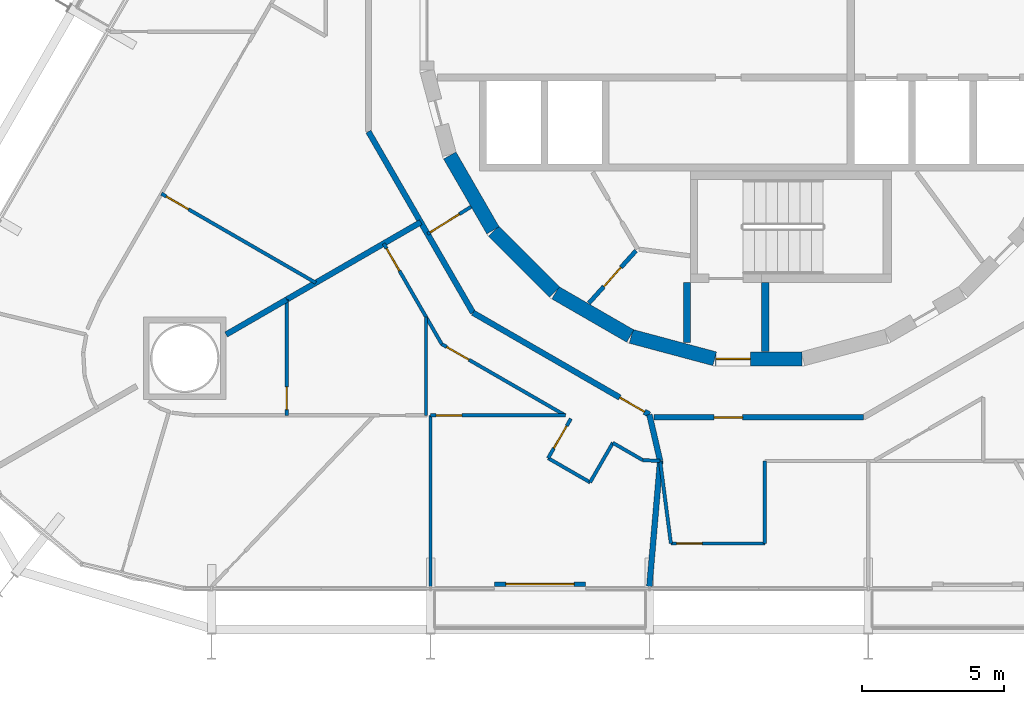
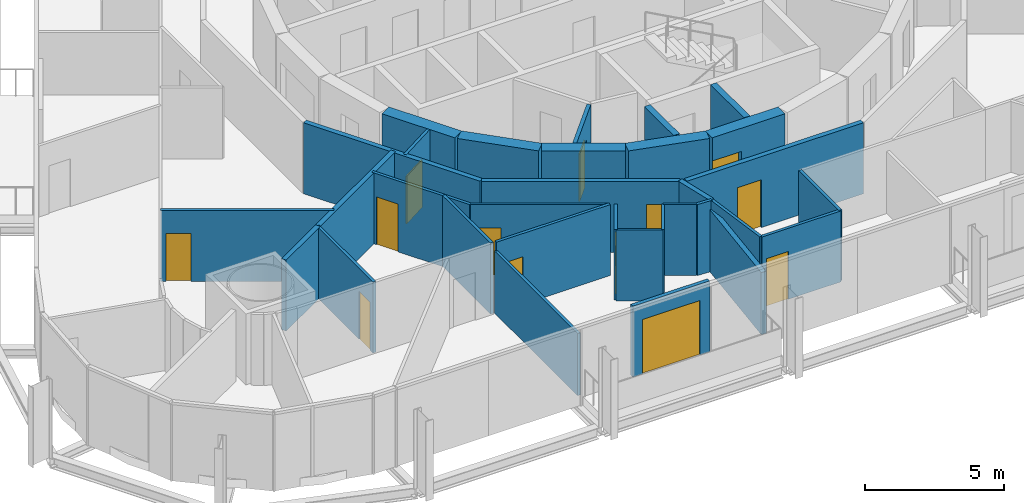
# One storey, part 13 of 20: 32 walls, 13 doors, 13 openings.
"""IFC4 building model written with IfcOpenShell, lengths in metres."""

from ifc_helpers import new_model, si_unit, direction, frame, frame_2d, origin, place, context, subcontext, project, spatial, rectangle, extrude, material, layer, layer_set, type_object, element, fill, save


model = new_model("IFC4")

# Units and contexts
model_context = context("Model", 3, precision=1e-05, world=origin(), true_north=direction((0.0, 1.0)))
body_context = subcontext(model_context, "Body", "Model", "MODEL_VIEW")
ifc_project = project(units=[si_unit("LENGTHUNIT", "METRE"), si_unit("AREAUNIT", "SQUARE_METRE"), si_unit("VOLUMEUNIT", "CUBIC_METRE"), si_unit("PLANEANGLEUNIT", "RADIAN"), si_unit("MASSUNIT", "GRAM", prefix="KILO")], contexts=[model_context])

# Site, building, storey
site_placement = place(None, origin())
site = spatial("IfcSite", under=ifc_project, at=site_placement, CompositionType="ELEMENT")
building_placement = place(site_placement, origin())
building = spatial("IfcBuilding", under=site, at=building_placement, Name="Spindle Arch Residences", CompositionType="ELEMENT")
storey_placement = place(building_placement, frame((0.0, 0.0, 59.39990234375)))
storey = spatial("IfcBuildingStorey", under=building, at=storey_placement, Name="L13", CompositionType="ELEMENT", Elevation=59.39990234375)

# Walls
ifc_material_1 = material(Name="Concrete C50/60", Category="concrete")
ifc_layer_1 = layer(ifc_material_1, 0.5)
ifc_layer_set_1 = layer_set([ifc_layer_1], Name="Core outline wall 500")
wall_type_1 = type_object("IfcWallType", Name="Core outline wall 500", PredefinedType="SHEAR", material=ifc_layer_set_1)
wall_1_placement = place(storey_placement, frame((-10.84521484375, -4.510498046875, 0.0), z_axis=(0.0, 0.0, 1.0), x_axis=(0.500087131594, -0.865975092491, 0.0)))
element("IfcWall", 1, at=wall_1_placement, inside=storey, type_object=wall_type_1, Name="Core outline wall 20", PredefinedType="SHEAR", context=body_context, shape_type="SweptSolid", body=[
    extrude(rectangle(XDim=3.03271484375, YDim=0.5, at=frame_2d((1.516357421875, 0.0))), origin(), (0.0, 0.0, 1.0), 3.1201171875),
])
wall_2_placement = place(storey_placement, frame((-9.30810546875, -7.163818359375, 0.0), z_axis=(0.0, 0.0, 1.0), x_axis=(0.707106781187, -0.707106781187, 0.0)))
element("IfcWall", 2, at=wall_2_placement, inside=storey, type_object=wall_type_1, Name="Core outline wall 21", PredefinedType="SHEAR", context=body_context, shape_type="SweptSolid", body=[
    extrude(rectangle(XDim=3.032470703125, YDim=0.5, at=frame_2d((1.51611328125, 0.0))), origin(), (0.0, 0.0, 1.0), 3.1201171875),
])
for number, where, z_axis, x_axis, name in (
    (3, (-7.13671875, -9.32861328125, 0.0), (0.0, 0.0, 1.0), (0.865975092491, -0.500087131594, 0.0), "Core outline wall 22"),
    (4, (-4.479248046875, -10.858154296875, 0.0), (0.0, 0.0, 1.0), (0.965948410781, -0.258734743916, 0.0), "Core outline wall 23"),
):
    element("IfcWall", number, at=place(storey_placement, frame(where, z_axis=z_axis, x_axis=x_axis)), inside=storey, type_object=wall_type_1, Name=name, PredefinedType="SHEAR", context=body_context, shape_type="SweptSolid", body=[
        extrude(rectangle(XDim=3.03271484375, YDim=0.5, at=frame_2d((1.516357421875, 0.0))), origin(), (0.0, 0.0, 1.0), 3.1201171875),
    ])

# Wall, opening, door
wall_3_placement = place(storey_placement, frame((-1.516357421875, -11.647216796875, 0.0), z_axis=(0.0, 0.0, 1.0), x_axis=(1.0, 0.0, 0.0)))
wall_3 = element("IfcWall", 5, at=wall_3_placement, inside=storey, type_object=wall_type_1, Name="Core outline wall 24", PredefinedType="SHEAR", context=body_context, shape_type="SweptSolid", body=[
    extrude(rectangle(XDim=3.03271484375, YDim=0.5, at=frame_2d((1.516357421875, 0.0))), origin(), (0.0, 0.0, 1.0), 3.1201171875),
])
opening_1_placement = place(wall_3_placement, frame((0.016357421875, 0.0, 0.0)))
opening_1 = element("IfcOpeningElement", 6, at=opening_1_placement, cuts=wall_3, Name="Opening R1C0-AD03", PredefinedType="OPENING", context=body_context, shape_type="SweptSolid", body=[
    extrude(rectangle(XDim=1.199951171875, YDim=2.10009765625, at=frame_2d((0.60009765625, 1.050048828125))), frame((0.0, 0.260009765625, 0.0), z_axis=(0.0, -1.0, 0.0), x_axis=(1.0, 0.0, 0.0)), (0.0, 0.0, 1.0), 0.52001953125),
])
ifc_material_2 = material(Name="Steel, fire-resisting door", Category="steel")
door_type_1 = type_object("IfcDoorType", Name="Stair airlock door 1200x2100", OperationType="SINGLE_SWING_LEFT", PredefinedType="DOOR", material=ifc_material_2)
door_1_placement = place(opening_1_placement, origin())
door_1 = element("IfcDoor", 7, at=door_1_placement, inside=storey, type_object=door_type_1, Name="Stair airlock door R1C0-AD03", OperationType="SINGLE_SWING_RIGHT", OverallHeight=2.10009765625, OverallWidth=1.199951171875, PredefinedType="DOOR", context=body_context, shape_type="SweptSolid", body=[
    extrude(rectangle(XDim=1.199951171875, YDim=2.10009765625, at=frame_2d((0.60009765625, 1.050048828125))), frame((0.0, 0.02490234375, 0.0), z_axis=(0.0, -1.0, 0.0), x_axis=(1.0, 0.0, 0.0)), (0.0, 0.0, 1.0), 0.050048828125),
])
fill(opening_1, door_1)

ifc_material_3 = material(Name="Plasterboard on steel studs", Category="steel")
ifc_layer_2 = layer(ifc_material_3, 0.1201171875)
ifc_layer_set_2 = layer_set([ifc_layer_2], Name="Corridor division wall 120")
wall_type_2 = type_object("IfcWallType", Name="Corridor division wall 120", PredefinedType="PARTITIONING", material=ifc_layer_set_2)
wall_4_placement = place(storey_placement, frame((-11.625244140625, -7.264404296875, 0.0), z_axis=(0.0, 0.0, 1.0), x_axis=(0.84803632456, 0.529938102259, 0.0)))
wall_4 = element("IfcWall", 8, at=wall_4_placement, inside=storey, type_object=wall_type_2, Name="Corridor division wall R1C0-W003", PredefinedType="PARTITIONING", context=body_context, shape_type="SweptSolid", body=[
    extrude(rectangle(XDim=1.8037109375, YDim=0.1201171875, at=frame_2d((0.90185546875, 0.0))), origin(), (0.0, 0.0, 1.0), 3.1201171875),
])
opening_2_placement = place(wall_4_placement, frame((0.110107421875, 0.0, 0.0)))
opening_2 = element("IfcOpeningElement", 9, at=opening_2_placement, cuts=wall_4, Name="Opening R1C0-CD03", PredefinedType="OPENING", context=body_context, shape_type="SweptSolid", body=[
    extrude(rectangle(XDim=1.199951171875, YDim=2.10009765625, at=frame_2d((0.60009765625, 1.050048828125))), frame((0.0, 0.070068359375, 0.0), z_axis=(0.0, -1.0, 0.0), x_axis=(1.0, 0.0, 0.0)), (0.0, 0.0, 1.0), 0.14013671875),
])
ifc_material_4 = material(Name="Steel, fire-resisting door", Category="steel")
door_type_2 = type_object("IfcDoorType", Name="Corridor division door 1200x2100", OperationType="NOTDEFINED", PredefinedType="DOOR", material=ifc_material_4)
door_2_placement = place(opening_2_placement, origin())
door_2 = element("IfcDoor", 10, at=door_2_placement, inside=storey, type_object=door_type_2, Name="Corridor division door R1C0-CD03", OperationType="DOUBLE_DOOR_SINGLE_SWING", OverallHeight=2.10009765625, OverallWidth=1.199951171875, PredefinedType="DOOR", context=body_context, shape_type="SweptSolid", body=[
    extrude(rectangle(XDim=1.199951171875, YDim=2.10009765625, at=frame_2d((0.60009765625, 1.050048828125))), frame((0.0, 0.02490234375, 0.0), z_axis=(0.0, -1.0, 0.0), x_axis=(1.0, 0.0, 0.0)), (0.0, 0.0, 1.0), 0.050048828125),
])
fill(opening_2, door_2)

# Wall
ifc_material_5 = material(Name="Calcium silicate block, plastered")
ifc_layer_3 = layer(ifc_material_5, 0.199951171875)
ifc_layer_set_3 = layer_set([ifc_layer_3], Name="Corridor wall 200")
wall_type_3 = type_object("IfcWallType", Name="Corridor wall 200", PredefinedType="STANDARD", material=ifc_layer_set_3)
wall_5_placement = place(storey_placement, frame((-13.699951171875, -3.6708984375, 0.0), z_axis=(0.0, 0.0, 1.0), x_axis=(0.500001669485, -0.866024439905, 0.0)))
element("IfcWall", 11, at=wall_5_placement, inside=storey, type_object=wall_type_3, Name="Corridor wall R1C0-W012", PredefinedType="STANDARD", context=body_context, shape_type="SweptSolid", body=[
    extrude(rectangle(XDim=7.341796875, YDim=0.199951171875, at=frame_2d((3.6708984375, 0.0))), origin(), (0.0, 0.0, 1.0), 3.1201171875),
])

# Wall, opening, door
wall_6_placement = place(storey_placement, frame((-10.029052734375, -10.029052734375, 0.0), z_axis=(0.0, 0.0, 1.0), x_axis=(0.866022878987, -0.500004373052, 0.0)))
wall_6 = element("IfcWall", 12, at=wall_6_placement, inside=storey, type_object=wall_type_3, Name="Corridor wall R1C0-W013", PredefinedType="STANDARD", context=body_context, shape_type="SweptSolid", body=[
    extrude(rectangle(XDim=7.146484375, YDim=0.199951171875, at=frame_2d((3.5732421875, 0.0))), origin(), (0.0, 0.0, 1.0), 3.1201171875),
])
opening_3_placement = place(wall_6_placement, frame((5.946533203125, 0.0, 0.0)))
opening_3 = element("IfcOpeningElement", 13, at=opening_3_placement, cuts=wall_6, Name="Opening R1C0-FD04", PredefinedType="OPENING", context=body_context, shape_type="SweptSolid", body=[
    extrude(rectangle(XDim=1.0, YDim=2.10009765625, at=frame_2d((0.5, 1.050048828125))), frame((0.0, 0.10986328125, 0.0), z_axis=(0.0, -1.0, 0.0), x_axis=(1.0, 0.0, 0.0)), (0.0, 0.0, 1.0), 0.219970703125),
])
ifc_material_6 = material(Name="Timber, fire-resisting door set", Category="wood")
door_type_3 = type_object("IfcDoorType", Name="Flat entrance door 1000x2100", OperationType="NOTDEFINED", PredefinedType="DOOR", material=ifc_material_6)
door_3_placement = place(opening_3_placement, origin())
door_3 = element("IfcDoor", 14, at=door_3_placement, inside=storey, type_object=door_type_3, Name="Flat entrance door R1C0-FD04", OperationType="SINGLE_SWING_LEFT", OverallHeight=2.10009765625, OverallWidth=1.0, PredefinedType="DOOR", context=body_context, shape_type="SweptSolid", body=[
    extrude(rectangle(XDim=1.0, YDim=2.10009765625, at=frame_2d((0.5, 1.050048828125))), frame((0.0, 0.02490234375, 0.0), z_axis=(0.0, -1.0, 0.0), x_axis=(1.0, 0.0, 0.0)), (0.0, 0.0, 1.0), 0.050048828125),
])
fill(opening_3, door_3)

wall_7_placement = place(storey_placement, frame((-3.6708984375, -13.699951171875, 0.0), z_axis=(0.0, 0.0, 1.0), x_axis=(1.0, 0.0, 0.0)))
wall_7 = element("IfcWall", 15, at=wall_7_placement, inside=storey, type_object=wall_type_3, Name="Corridor wall R1C0-W014", PredefinedType="STANDARD", context=body_context, shape_type="SweptSolid", body=[
    extrude(rectangle(XDim=7.341796875, YDim=0.199951171875, at=frame_2d((3.6708984375, 0.0))), origin(), (0.0, 0.0, 1.0), 3.1201171875),
])
opening_4_placement = place(wall_7_placement, frame((2.10009765625, 0.0, 0.0)))
opening_4 = element("IfcOpeningElement", 16, at=opening_4_placement, cuts=wall_7, Name="Opening R1C0-FD05", PredefinedType="OPENING", context=body_context, shape_type="SweptSolid", body=[
    extrude(rectangle(XDim=1.0, YDim=2.10009765625, at=frame_2d((0.5, 1.050048828125))), frame((0.0, 0.10986328125, 0.0), z_axis=(0.0, -1.0, 0.0), x_axis=(1.0, 0.0, 0.0)), (0.0, 0.0, 1.0), 0.219970703125),
])
door_4_placement = place(opening_4_placement, origin())
door_4 = element("IfcDoor", 17, at=door_4_placement, inside=storey, type_object=door_type_3, Name="Flat entrance door R1C0-FD05", OperationType="SINGLE_SWING_LEFT", OverallHeight=2.10009765625, OverallWidth=1.0, PredefinedType="DOOR", context=body_context, shape_type="SweptSolid", body=[
    extrude(rectangle(XDim=1.0, YDim=2.10009765625, at=frame_2d((0.5, 1.050048828125))), frame((0.0, 0.02490234375, 0.0), z_axis=(0.0, -1.0, 0.0), x_axis=(1.0, 0.0, 0.0)), (0.0, 0.0, 1.0), 0.050048828125),
])
fill(opening_4, door_4)

ifc_material_7 = material(Name="Plasterboard on steel studs", Category="steel")
ifc_layer_4 = layer(ifc_material_7, 0.1201171875)
ifc_layer_set_4 = layer_set([ifc_layer_4], Name="Flat partition 120")
wall_type_4 = type_object("IfcWallType", Name="Flat partition 120", PredefinedType="PARTITIONING", material=ifc_layer_set_4)
wall_8_placement = place(storey_placement, frame((-20.96337890625, -5.849853515625, 0.0), z_axis=(0.0, 0.0, 1.0), x_axis=(0.866021746608, -0.500006334362, 0.0)))
wall_8 = element("IfcWall", 18, at=wall_8_placement, inside=storey, type_object=wall_type_4, Name="Flat partition R1C0-W070", PredefinedType="PARTITIONING", context=body_context, shape_type="SweptSolid", body=[
    extrude(rectangle(XDim=6.25341796875, YDim=0.1201171875, at=frame_2d((3.126708984375, 0.0))), origin(), (0.0, 0.0, 1.0), 3.1201171875),
])
opening_5_placement = place(wall_8_placement, frame((0.199951171875, 0.0, 0.0)))
opening_5 = element("IfcOpeningElement", 19, at=opening_5_placement, cuts=wall_8, Name="Opening R1C0-ID14", PredefinedType="OPENING", context=body_context, shape_type="SweptSolid", body=[
    extrude(rectangle(XDim=0.89990234375, YDim=2.10009765625, at=frame_2d((0.449951171875, 1.050048828125))), frame((0.0, 0.070068359375, 0.0), z_axis=(0.0, -1.0, 0.0), x_axis=(1.0, 0.0, 0.0)), (0.0, 0.0, 1.0), 0.14013671875),
])
ifc_material_8 = material(Name="Timber door set", Category="wood")
door_type_4 = type_object("IfcDoorType", Name="Room door 900x2100", OperationType="NOTDEFINED", PredefinedType="DOOR", material=ifc_material_8)
door_5_placement = place(opening_5_placement, origin())
door_5 = element("IfcDoor", 20, at=door_5_placement, inside=storey, type_object=door_type_4, Name="Room door R1C0-ID14", OperationType="SINGLE_SWING_RIGHT", OverallHeight=2.10009765625, OverallWidth=0.89990234375, PredefinedType="DOOR", context=body_context, shape_type="SweptSolid", body=[
    extrude(rectangle(XDim=0.89990234375, YDim=2.10009765625, at=frame_2d((0.449951171875, 1.050048828125))), frame((0.0, 0.02490234375, 0.0), z_axis=(0.0, -1.0, 0.0), x_axis=(1.0, 0.0, 0.0)), (0.0, 0.0, 1.0), 0.050048828125),
])
fill(opening_5, door_5)

wall_9_placement = place(storey_placement, frame((-13.16357421875, -7.60009765625, 0.0), z_axis=(0.0, 0.0, 1.0), x_axis=(0.500000928893, -0.866024867487, 0.0)))
wall_9 = element("IfcWall", 21, at=wall_9_placement, inside=storey, type_object=wall_type_4, Name="Flat partition R1C0-W079", PredefinedType="PARTITIONING", context=body_context, shape_type="SweptSolid", body=[
    extrude(rectangle(XDim=4.07275390625, YDim=0.1201171875, at=frame_2d((2.036376953125, 0.0))), origin(), (0.0, 0.0, 1.0), 3.1201171875),
])
opening_6_placement = place(wall_9_placement, frame((0.199951171875, 0.0, 0.0)))
opening_6 = element("IfcOpeningElement", 22, at=opening_6_placement, cuts=wall_9, Name="Opening R1C0-ID17", PredefinedType="OPENING", context=body_context, shape_type="SweptSolid", body=[
    extrude(rectangle(XDim=0.89990234375, YDim=2.10009765625, at=frame_2d((0.449951171875, 1.050048828125))), frame((0.0, 0.070068359375, 0.0), z_axis=(0.0, -1.0, 0.0), x_axis=(1.0, 0.0, 0.0)), (0.0, 0.0, 1.0), 0.14013671875),
])
door_6_placement = place(opening_6_placement, origin())
door_6 = element("IfcDoor", 23, at=door_6_placement, inside=storey, type_object=door_type_4, Name="Room door R1C0-ID17", OperationType="SINGLE_SWING_LEFT", OverallHeight=2.10009765625, OverallWidth=0.89990234375, PredefinedType="DOOR", context=body_context, shape_type="SweptSolid", body=[
    extrude(rectangle(XDim=0.89990234375, YDim=2.10009765625, at=frame_2d((0.449951171875, 1.050048828125))), frame((0.0, 0.02490234375, 0.0), z_axis=(0.0, -1.0, 0.0), x_axis=(1.0, 0.0, 0.0)), (0.0, 0.0, 1.0), 0.050048828125),
])
fill(opening_6, door_6)

wall_10_placement = place(storey_placement, frame((-11.127197265625, -11.127197265625, 0.0), z_axis=(0.0, 0.0, 1.0), x_axis=(0.866034514313, -0.499984219769, 0.0)))
wall_10 = element("IfcWall", 24, at=wall_10_placement, inside=storey, type_object=wall_type_4, Name="Flat partition R1C0-W080", PredefinedType="PARTITIONING", context=body_context, shape_type="SweptSolid", body=[
    extrude(rectangle(XDim=5.005615234375, YDim=0.1201171875, at=frame_2d((2.5029296875, 0.0))), origin(), (0.0, 0.0, 1.0), 3.1201171875),
])
opening_7_placement = place(wall_10_placement, frame((0.199951171875, 0.0, 0.0)))
opening_7 = element("IfcOpeningElement", 25, at=opening_7_placement, cuts=wall_10, Name="Opening R1C0-ID18", PredefinedType="OPENING", context=body_context, shape_type="SweptSolid", body=[
    extrude(rectangle(XDim=0.89990234375, YDim=2.10009765625, at=frame_2d((0.449951171875, 1.050048828125))), frame((0.0, 0.070068359375, 0.0), z_axis=(0.0, -1.0, 0.0), x_axis=(1.0, 0.0, 0.0)), (0.0, 0.0, 1.0), 0.14013671875),
])
door_7_placement = place(opening_7_placement, origin())
door_7 = element("IfcDoor", 26, at=door_7_placement, inside=storey, type_object=door_type_4, Name="Room door R1C0-ID18", OperationType="SINGLE_SWING_LEFT", OverallHeight=2.10009765625, OverallWidth=0.89990234375, PredefinedType="DOOR", context=body_context, shape_type="SweptSolid", body=[
    extrude(rectangle(XDim=0.89990234375, YDim=2.10009765625, at=frame_2d((0.449951171875, 1.050048828125))), frame((0.0, 0.02490234375, 0.0), z_axis=(0.0, -1.0, 0.0), x_axis=(1.0, 0.0, 0.0)), (0.0, 0.0, 1.0), 0.050048828125),
])
fill(opening_7, door_7)

wall_11_placement = place(storey_placement, frame((-6.593994140625, -13.744384765625, 0.0), z_axis=(0.0, 0.0, 1.0), x_axis=(-0.499947031044, -0.866055983265, 0.0)))
wall_11 = element("IfcWall", 27, at=wall_11_placement, inside=storey, type_object=wall_type_4, Name="Flat partition R1C0-W081", PredefinedType="PARTITIONING", context=body_context, shape_type="SweptSolid", body=[
    extrude(rectangle(XDim=1.599853515625, YDim=0.1201171875, at=frame_2d((0.7998046875, 0.0))), origin(), (0.0, 0.0, 1.0), 3.1201171875),
])
opening_8_placement = place(wall_11_placement, frame((0.300048828125, 0.0, 0.0)))
opening_8 = element("IfcOpeningElement", 28, at=opening_8_placement, cuts=wall_11, Name="Opening R1C0-ID19", PredefinedType="OPENING", context=body_context, shape_type="SweptSolid", body=[
    extrude(rectangle(XDim=0.89990234375, YDim=2.10009765625, at=frame_2d((0.449951171875, 1.050048828125))), frame((0.0, 0.070068359375, 0.0), z_axis=(0.0, -1.0, 0.0), x_axis=(1.0, 0.0, 0.0)), (0.0, 0.0, 1.0), 0.14013671875),
])
door_8_placement = place(opening_8_placement, origin())
door_8 = element("IfcDoor", 29, at=door_8_placement, inside=storey, type_object=door_type_4, Name="Room door R1C0-ID19", OperationType="SINGLE_SWING_RIGHT", OverallHeight=2.10009765625, OverallWidth=0.89990234375, PredefinedType="DOOR", context=body_context, shape_type="SweptSolid", body=[
    extrude(rectangle(XDim=0.89990234375, YDim=2.10009765625, at=frame_2d((0.449951171875, 1.050048828125))), frame((0.0, 0.02490234375, 0.0), z_axis=(0.0, -1.0, 0.0), x_axis=(1.0, 0.0, 0.0)), (0.0, 0.0, 1.0), 0.050048828125),
])
fill(opening_8, door_8)

# Walls
wall_12_placement = place(storey_placement, frame((-7.393798828125, -15.1298828125, 0.0), z_axis=(0.0, 0.0, 1.0), x_axis=(0.86605165483, -0.499954529098, 0.0)))
element("IfcWall", 30, at=wall_12_placement, inside=storey, type_object=wall_type_4, Name="Flat partition R1C0-W082", PredefinedType="PARTITIONING", context=body_context, shape_type="SweptSolid", body=[
    extrude(rectangle(XDim=1.699951171875, YDim=0.1201171875, at=frame_2d((0.85009765625, 0.0))), origin(), (0.0, 0.0, 1.0), 3.1201171875),
])
wall_13_placement = place(storey_placement, frame((-5.921630859375, -15.979736328125, 0.0), z_axis=(0.0, 0.0, 1.0), x_axis=(0.500013115284, 0.866017831539, 0.0)))
element("IfcWall", 31, at=wall_13_placement, inside=storey, type_object=wall_type_4, Name="Flat partition R1C0-W083", PredefinedType="PARTITIONING", context=body_context, shape_type="SweptSolid", body=[
    extrude(rectangle(XDim=1.599609375, YDim=0.1201171875, at=frame_2d((0.7998046875, 0.0))), origin(), (0.0, 0.0, 1.0), 3.1201171875),
])
wall_14_placement = place(storey_placement, frame((-5.121826171875, -14.594482421875, 0.0), z_axis=(0.0, 0.0, 1.0), x_axis=(0.86610168388, -0.499867855718, 0.0)))
element("IfcWall", 32, at=wall_14_placement, inside=storey, type_object=wall_type_4, Name="Flat partition R1C0-W084", PredefinedType="PARTITIONING", context=body_context, shape_type="SweptSolid", body=[
    extrude(rectangle(XDim=1.211181640625, YDim=0.1201171875, at=frame_2d((0.60546875, 0.0))), origin(), (0.0, 0.0, 1.0), 3.1201171875),
])
wall_15_placement = place(storey_placement, frame((-4.07275390625, -15.199951171875, 0.0), z_axis=(0.0, 0.0, 1.0), x_axis=(0.99879090756, -0.049160176723, 0.0)))
element("IfcWall", 33, at=wall_15_placement, inside=storey, type_object=wall_type_4, Name="Flat partition R1C0-W085", PredefinedType="PARTITIONING", context=body_context, shape_type="SweptSolid", body=[
    extrude(rectangle(XDim=0.61083984375, YDim=0.1201171875, at=frame_2d((0.305419921875, 0.0))), origin(), (0.0, 0.0, 1.0), 3.1201171875),
])

# Wall, opening, door
wall_16_placement = place(storey_placement, frame((-16.564697265625, -13.6298828125, 0.0), z_axis=(0.0, 0.0, 1.0), x_axis=(0.0, 1.0, 0.0)))
wall_16 = element("IfcWall", 34, at=wall_16_placement, inside=storey, type_object=wall_type_4, Name="Flat partition R1C0-W089", PredefinedType="PARTITIONING", context=body_context, shape_type="SweptSolid", body=[
    extrude(rectangle(XDim=4.066162109375, YDim=0.1201171875, at=frame_2d((2.033203125, 0.0))), origin(), (0.0, 0.0, 1.0), 3.1201171875),
])
opening_9_placement = place(wall_16_placement, frame((0.199951171875, 0.0, 0.0)))
opening_9 = element("IfcOpeningElement", 35, at=opening_9_placement, cuts=wall_16, Name="Opening R1C0-BD05", PredefinedType="OPENING", context=body_context, shape_type="SweptSolid", body=[
    extrude(rectangle(XDim=0.800048828125, YDim=2.10009765625, at=frame_2d((0.39990234375, 1.050048828125))), frame((0.0, 0.070068359375, 0.0), z_axis=(0.0, -1.0, 0.0), x_axis=(1.0, 0.0, 0.0)), (0.0, 0.0, 1.0), 0.14013671875),
])
ifc_material_9 = material(Name="Timber door set", Category="wood")
door_type_5 = type_object("IfcDoorType", Name="Bathroom door 800x2100", OperationType="NOTDEFINED", PredefinedType="DOOR", material=ifc_material_9)
door_9_placement = place(opening_9_placement, origin())
door_9 = element("IfcDoor", 36, at=door_9_placement, inside=storey, type_object=door_type_5, Name="Bathroom door R1C0-BD05", OperationType="SINGLE_SWING_LEFT", OverallHeight=2.10009765625, OverallWidth=0.800048828125, PredefinedType="DOOR", context=body_context, shape_type="SweptSolid", body=[
    extrude(rectangle(XDim=0.800048828125, YDim=2.10009765625, at=frame_2d((0.39990234375, 1.050048828125))), frame((0.0, 0.02490234375, 0.0), z_axis=(0.0, -1.0, 0.0), x_axis=(1.0, 0.0, 0.0)), (0.0, 0.0, 1.0), 0.050048828125),
])
fill(opening_9, door_9)

# Wall
wall_17_placement = place(storey_placement, frame((-11.678466796875, -13.6298828125, 0.0), z_axis=(0.0, 0.0, 1.0), x_axis=(0.0, 1.0, 0.0)))
element("IfcWall", 37, at=wall_17_placement, inside=storey, type_object=wall_type_4, Name="Flat partition R1C0-W092", PredefinedType="PARTITIONING", context=body_context, shape_type="SweptSolid", body=[
    extrude(rectangle(XDim=3.457763671875, YDim=0.1201171875, at=frame_2d((1.72900390625, 0.0))), origin(), (0.0, 0.0, 1.0), 3.1201171875),
])

# Wall, opening, door
wall_18_placement = place(storey_placement, frame((-11.52001953125, -13.6298828125, 0.0), z_axis=(0.0, 0.0, 1.0), x_axis=(1.0, 0.0, 0.0)))
wall_18 = element("IfcWall", 38, at=wall_18_placement, inside=storey, type_object=wall_type_4, Name="Flat partition R1C0-W095", PredefinedType="PARTITIONING", context=body_context, shape_type="SweptSolid", body=[
    extrude(rectangle(XDim=4.727783203125, YDim=0.1201171875, at=frame_2d((2.36376953125, 0.0))), origin(), (0.0, 0.0, 1.0), 3.1201171875),
])
opening_10_placement = place(wall_18_placement, frame((0.199951171875, 0.0, 0.0)))
opening_10 = element("IfcOpeningElement", 39, at=opening_10_placement, cuts=wall_18, Name="Opening R1C0-ID23", PredefinedType="OPENING", context=body_context, shape_type="SweptSolid", body=[
    extrude(rectangle(XDim=0.89990234375, YDim=2.10009765625, at=frame_2d((0.449951171875, 1.050048828125))), frame((0.0, 0.070068359375, 0.0), z_axis=(0.0, -1.0, 0.0), x_axis=(1.0, 0.0, 0.0)), (0.0, 0.0, 1.0), 0.14013671875),
])
door_10_placement = place(opening_10_placement, origin())
door_10 = element("IfcDoor", 40, at=door_10_placement, inside=storey, type_object=door_type_4, Name="Room door R1C0-ID23", OperationType="SINGLE_SWING_RIGHT", OverallHeight=2.10009765625, OverallWidth=0.89990234375, PredefinedType="DOOR", context=body_context, shape_type="SweptSolid", body=[
    extrude(rectangle(XDim=0.89990234375, YDim=2.10009765625, at=frame_2d((0.449951171875, 1.050048828125))), frame((0.0, 0.02490234375, 0.0), z_axis=(0.0, -1.0, 0.0), x_axis=(1.0, 0.0, 0.0)), (0.0, 0.0, 1.0), 0.050048828125),
])
fill(opening_10, door_10)

# Wall
wall_19_placement = place(storey_placement, frame((-3.462646484375, -15.22998046875, 0.0), z_axis=(0.0, 0.0, 1.0), x_axis=(0.129260547059, -0.991610665016, 0.0)))
element("IfcWall", 41, at=wall_19_placement, inside=storey, type_object=wall_type_4, Name="Flat partition R1C0-W096", PredefinedType="PARTITIONING", context=body_context, shape_type="SweptSolid", body=[
    extrude(rectangle(XDim=2.919921875, YDim=0.1201171875, at=frame_2d((1.4599609375, 0.0))), origin(), (0.0, 0.0, 1.0), 3.1201171875),
])

# Wall, opening, door
wall_20_placement = place(storey_placement, frame((-3.085205078125, -18.12548828125, 0.0), z_axis=(0.0, 0.0, 1.0), x_axis=(1.0, 0.0, 0.0)))
wall_20 = element("IfcWall", 42, at=wall_20_placement, inside=storey, type_object=wall_type_4, Name="Flat partition R1C0-W097", PredefinedType="PARTITIONING", context=body_context, shape_type="SweptSolid", body=[
    extrude(rectangle(XDim=3.300048828125, YDim=0.1201171875, at=frame_2d((1.64990234375, 0.0))), origin(), (0.0, 0.0, 1.0), 3.1201171875),
])
opening_11_placement = place(wall_20_placement, frame((0.199951171875, 0.0, 0.0)))
opening_11 = element("IfcOpeningElement", 43, at=opening_11_placement, cuts=wall_20, Name="Opening R1C0-ID24", PredefinedType="OPENING", context=body_context, shape_type="SweptSolid", body=[
    extrude(rectangle(XDim=0.89990234375, YDim=2.10009765625, at=frame_2d((0.449951171875, 1.050048828125))), frame((0.0, 0.070068359375, 0.0), z_axis=(0.0, -1.0, 0.0), x_axis=(1.0, 0.0, 0.0)), (0.0, 0.0, 1.0), 0.14013671875),
])
door_11_placement = place(opening_11_placement, origin())
door_11 = element("IfcDoor", 44, at=door_11_placement, inside=storey, type_object=door_type_4, Name="Room door R1C0-ID24", OperationType="SINGLE_SWING_LEFT", OverallHeight=2.10009765625, OverallWidth=0.89990234375, PredefinedType="DOOR", context=body_context, shape_type="SweptSolid", body=[
    extrude(rectangle(XDim=0.89990234375, YDim=2.10009765625, at=frame_2d((0.449951171875, 1.050048828125))), frame((0.0, 0.02490234375, 0.0), z_axis=(0.0, -1.0, 0.0), x_axis=(1.0, 0.0, 0.0)), (0.0, 0.0, 1.0), 0.050048828125),
])
fill(opening_11, door_11)

# Walls
wall_21_placement = place(storey_placement, frame((0.21484375, -18.12548828125, 0.0), z_axis=(0.0, 0.0, 1.0), x_axis=(0.0, 1.0, 0.0)))
element("IfcWall", 45, at=wall_21_placement, inside=storey, type_object=wall_type_4, Name="Flat partition R1C0-W098", PredefinedType="PARTITIONING", context=body_context, shape_type="SweptSolid", body=[
    extrude(rectangle(XDim=2.8955078125, YDim=0.1201171875, at=frame_2d((1.44775390625, 0.0))), origin(), (0.0, 0.0, 1.0), 3.1201171875),
])
ifc_material_10 = material(Name="Plasterboard on steel studs", Category="steel")
ifc_layer_5 = layer(ifc_material_10, 0.1201171875)
ifc_layer_set_5 = layer_set([ifc_layer_5], Name="Flat partition 120 under beam 2730")
wall_type_5 = type_object("IfcWallType", Name="Flat partition 120 under beam 2730", PredefinedType="PARTITIONING", material=ifc_layer_set_5)
wall_22_placement = place(storey_placement, frame((-11.52001953125, -19.6298828125, 0.0), z_axis=(0.0, 0.0, 1.0), x_axis=(0.0, 1.0, 0.0)))
element("IfcWall", 46, at=wall_22_placement, inside=storey, type_object=wall_type_5, Name="Flat partition R1C0-W094", PredefinedType="PARTITIONING", context=body_context, shape_type="SweptSolid", body=[
    extrude(rectangle(XDim=6.0, YDim=0.1201171875, at=frame_2d((3.0, 0.0))), origin(), (0.0, 0.0, 1.0), 2.72998046875),
])
ifc_material_11 = material(Name="Calcium silicate block, plastered")
ifc_layer_6 = layer(ifc_material_11, 0.199951171875)
ifc_layer_set_6 = layer_set([ifc_layer_6], Name="Flat party wall 200")
wall_type_6 = type_object("IfcWallType", Name="Flat party wall 200", PredefinedType="STANDARD", material=ifc_layer_set_6)
wall_23_placement = place(storey_placement, frame((-16.564697265625, -9.563720703125, 0.0), z_axis=(0.0, 0.0, 1.0), x_axis=(0.866028274568, 0.499995027624, 0.0)))
element("IfcWall", 47, at=wall_23_placement, inside=storey, type_object=wall_type_6, Name="Flat party wall R1C0-W024", PredefinedType="STANDARD", context=body_context, shape_type="SweptSolid", body=[
    extrude(rectangle(XDim=5.42724609375, YDim=0.199951171875, at=frame_2d((2.713623046875, 0.0))), origin(), (0.0, 0.0, 1.0), 3.1201171875),
])
wall_24_placement = place(storey_placement, frame((-18.693603515625, -10.792724609375, 0.0), z_axis=(0.0, 0.0, 1.0), x_axis=(0.866046662726, 0.499963176624, 0.0)))
element("IfcWall", 48, at=wall_24_placement, inside=storey, type_object=wall_type_6, Name="Flat party wall R1C0-W026", PredefinedType="STANDARD", context=body_context, shape_type="SweptSolid", body=[
    extrude(rectangle(XDim=2.458251953125, YDim=0.199951171875, at=frame_2d((1.22900390625, 0.0))), origin(), (0.0, 0.0, 1.0), 3.1201171875),
])
wall_25_placement = place(storey_placement, frame((-3.462646484375, -15.22998046875, 0.0), z_axis=(0.0, 0.0, 1.0), x_axis=(-0.225894501138, 0.974151771725, 0.0)))
element("IfcWall", 49, at=wall_25_placement, inside=storey, type_object=wall_type_6, Name="Flat party wall R1C0-W027", PredefinedType="STANDARD", context=body_context, shape_type="SweptSolid", body=[
    extrude(rectangle(XDim=1.6708984375, YDim=0.199951171875, at=frame_2d((0.83544921875, 0.0))), origin(), (0.0, 0.0, 1.0), 3.1201171875),
])
ifc_material_12 = material(Name="Calcium silicate block, plastered")
ifc_layer_7 = layer(ifc_material_12, 0.199951171875)
ifc_layer_set_7 = layer_set([ifc_layer_7], Name="Flat party wall 200 under beam 2730")
wall_type_7 = type_object("IfcWallType", Name="Flat party wall 200 under beam 2730", PredefinedType="STANDARD", material=ifc_layer_set_7)
wall_26_placement = place(storey_placement, frame((-3.840087890625, -19.6298828125, 0.0), z_axis=(0.0, 0.0, 1.0), x_axis=(0.085470135005, 0.996340732893, 0.0)))
element("IfcWall", 50, at=wall_26_placement, inside=storey, type_object=wall_type_7, Name="Flat party wall R1C0-W028", PredefinedType="STANDARD", context=body_context, shape_type="SweptSolid", body=[
    extrude(rectangle(XDim=4.416015625, YDim=0.199951171875, at=frame_2d((2.2080078125, 0.0))), origin(), (0.0, 0.0, 1.0), 2.72998046875),
])

# Wall, opening, door
ifc_material_13 = material(Name="Non-combustible mineral wool insulated aluminium faced external wall (K0)", Category="aluminium")
ifc_layer_8 = layer(ifc_material_13, 0.159912109375)
ifc_layer_set_8 = layer_set([ifc_layer_8], Name="Insulated external wall panel 160")
wall_type_8 = type_object("IfcWallType", Name="Insulated external wall panel 160", PredefinedType="STANDARD", material=ifc_layer_set_8)
wall_27_placement = place(storey_placement, frame((-9.280029296875, -19.5498046875, 0.0), z_axis=(0.0, 0.0, 1.0), x_axis=(1.0, 0.0, 0.0)))
wall_27 = element("IfcWall", 51, at=wall_27_placement, inside=storey, type_object=wall_type_8, Name="External wall L13 bay 23", PredefinedType="STANDARD", context=body_context, shape_type="SweptSolid", body=[
    extrude(rectangle(XDim=3.199951171875, YDim=0.159912109375, at=frame_2d((1.60009765625, 0.0))), origin(), (0.0, 0.0, 1.0), 3.1201171875),
])
opening_12_placement = place(wall_27_placement, frame((0.39990234375, 0.0, 0.0)))
opening_12 = element("IfcOpeningElement", 52, at=opening_12_placement, cuts=wall_27, Name="Opening BD23", PredefinedType="OPENING", context=body_context, shape_type="SweptSolid", body=[
    extrude(rectangle(XDim=2.39990234375, YDim=2.39990234375, at=frame_2d((1.199951171875, 1.199951171875))), frame((0.0, 0.08984375, 0.0), z_axis=(0.0, -1.0, 0.0), x_axis=(1.0, 0.0, 0.0)), (0.0, 0.0, 1.0), 0.179931640625),
])
ifc_material_14 = material(Name="Bronze aluminium frame, tinted double glazing", Category="aluminium")
door_type_6 = type_object("IfcDoorType", Name="Sliding glazed balcony door 2400x2400", OperationType="DOUBLE_DOOR_SLIDING", PredefinedType="DOOR", material=ifc_material_14)
door_12_placement = place(opening_12_placement, origin())
door_12 = element("IfcDoor", 53, at=door_12_placement, inside=storey, type_object=door_type_6, Name="Balcony door BD23", OperationType="DOUBLE_DOOR_SLIDING", OverallHeight=2.39990234375, OverallWidth=2.39990234375, PredefinedType="DOOR", context=body_context, shape_type="SweptSolid", body=[
    extrude(rectangle(XDim=2.39990234375, YDim=2.39990234375, at=frame_2d((1.199951171875, 1.199951171875))), frame((0.0, 0.02490234375, 0.0), z_axis=(0.0, -1.0, 0.0), x_axis=(1.0, 0.0, 0.0)), (0.0, 0.0, 1.0), 0.050048828125),
])
fill(opening_12, door_12)

ifc_material_15 = material(Name="Concrete C25/30", Category="concrete")
ifc_layer_9 = layer(ifc_material_15, 0.14990234375)
ifc_layer_set_9 = layer_set([ifc_layer_9], Name="Service room partition 150")
wall_type_9 = type_object("IfcWallType", Name="Service room partition 150", PredefinedType="PARTITIONING", material=ifc_layer_set_9)
wall_28_placement = place(storey_placement, frame((-4.310791015625, -7.85107421875, 0.0), z_axis=(0.0, 0.0, 1.0), x_axis=(-0.667869133096, -0.744278725383, 0.0)))
wall_28 = element("IfcWall", 54, at=wall_28_placement, inside=storey, type_object=wall_type_9, Name="Core service room partition", PredefinedType="PARTITIONING", context=body_context, shape_type="SweptSolid", body=[
    extrude(rectangle(XDim=2.476318359375, YDim=0.14990234375, at=frame_2d((1.23828125, 0.0))), origin(), (0.0, 0.0, 1.0), 3.1201171875),
])
opening_13_placement = place(wall_28_placement, frame((0.7880859375, 0.0, 0.0)))
opening_13 = element("IfcOpeningElement", 55, at=opening_13_placement, cuts=wall_28, Name="Opening R1C0-WD04", PredefinedType="OPENING", context=body_context, shape_type="SweptSolid", body=[
    extrude(rectangle(XDim=0.89990234375, YDim=2.10009765625, at=frame_2d((0.449951171875, 1.050048828125))), frame((0.0, 0.0849609375, 0.0), z_axis=(0.0, -1.0, 0.0), x_axis=(1.0, 0.0, 0.0)), (0.0, 0.0, 1.0), 0.169921875),
])
ifc_material_16 = material(Name="Steel, fire-resisting door", Category="steel")
door_type_7 = type_object("IfcDoorType", Name="Service room door 900x2100", OperationType="SINGLE_SWING_LEFT", PredefinedType="DOOR", material=ifc_material_16)
door_13_placement = place(opening_13_placement, origin())
door_13 = element("IfcDoor", 56, at=door_13_placement, inside=storey, type_object=door_type_7, Name="Service room door R1C0-WD04", OperationType="SINGLE_SWING_LEFT", OverallHeight=2.10009765625, OverallWidth=0.89990234375, PredefinedType="DOOR", context=body_context, shape_type="SweptSolid", body=[
    extrude(rectangle(XDim=0.89990234375, YDim=2.10009765625, at=frame_2d((0.449951171875, 1.050048828125))), frame((0.0, 0.02490234375, 0.0), z_axis=(0.0, -1.0, 0.0), x_axis=(1.0, 0.0, 0.0)), (0.0, 0.0, 1.0), 0.050048828125),
])
fill(opening_13, door_13)

# Walls
ifc_material_17 = material(Name="Concrete C40/50", Category="concrete")
ifc_layer_10 = layer(ifc_material_17, 0.25)
ifc_layer_set_10 = layer_set([ifc_layer_10], Name="Stair airlock wall 250")
wall_type_10 = type_object("IfcWallType", Name="Stair airlock wall 250", PredefinedType="SHEAR", material=ifc_layer_set_10)
wall_29_placement = place(storey_placement, frame((-2.52490234375, -8.969970703125, 0.0), z_axis=(0.0, 0.0, 1.0), x_axis=(0.0, -1.0, 0.0)))
element("IfcWall", 57, at=wall_29_placement, inside=storey, type_object=wall_type_10, Name="Stair ST-3 airlock wall W", PredefinedType="SHEAR", context=body_context, shape_type="SweptSolid", body=[
    extrude(rectangle(XDim=2.110107421875, YDim=0.25, at=frame_2d((1.05517578125, 0.0))), origin(), (0.0, 0.0, 1.0), 3.1201171875),
])
wall_30_placement = place(storey_placement, frame((0.22509765625, -8.969970703125, 0.0), z_axis=(0.0, 0.0, 1.0), x_axis=(0.0, -1.0, 0.0)))
element("IfcWall", 58, at=wall_30_placement, inside=storey, type_object=wall_type_10, Name="Stair ST-3 airlock wall E", PredefinedType="SHEAR", context=body_context, shape_type="SweptSolid", body=[
    extrude(rectangle(XDim=2.409912109375, YDim=0.25, at=frame_2d((1.205078125, 0.0))), origin(), (0.0, 0.0, 1.0), 3.1201171875),
])

save(model, "model.ifc")
